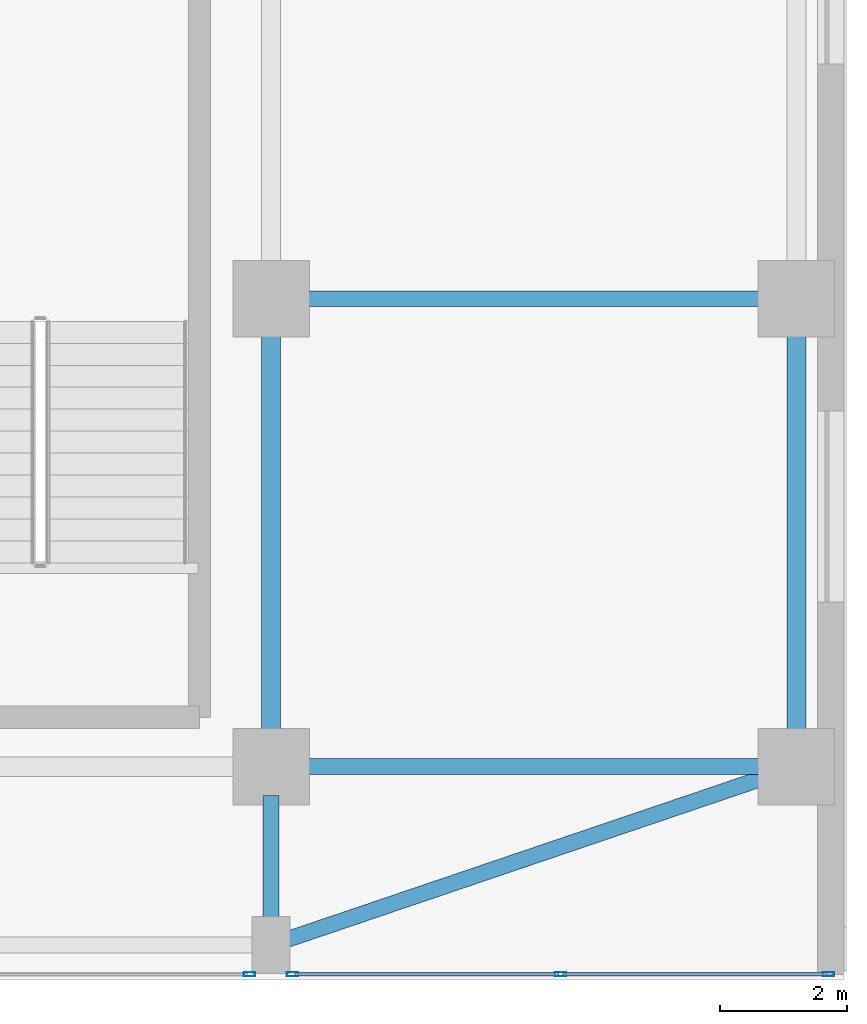
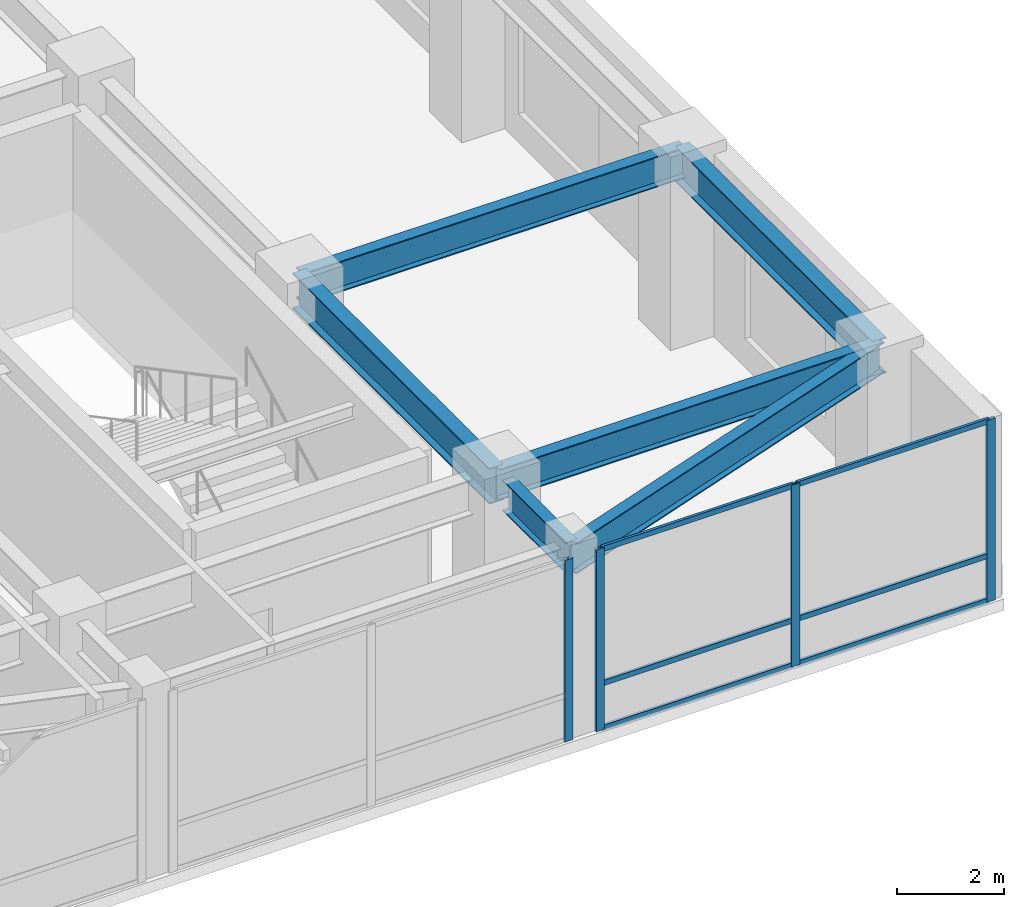
# One storey, part 16 of 27: 10 members, 6 beams, 2 elements without a shape of their own.
"""IFC4 building model written with IfcOpenShell, lengths in metres."""

from ifc_helpers import new_model, si_unit, direction, frame, origin, origin_2d, place, context, subcontext, project, spatial, hollow_rectangle, i_section, extrude, source, transform, mapped, material, layer, layer_set, material_profile, profile_set, type_object, type_shapes, element, aggregate, save


model = new_model("IFC4")

# Units and contexts
model_context = context("Model", 3, precision=1e-05, world=origin(), true_north=direction((0.0, 1.0)))
body_context = subcontext(model_context, "Body", "Model", "MODEL_VIEW")
ifc_project = project(units=[si_unit("LENGTHUNIT", "METRE"), si_unit("AREAUNIT", "SQUARE_METRE"), si_unit("VOLUMEUNIT", "CUBIC_METRE"), si_unit("PLANEANGLEUNIT", "RADIAN"), si_unit("MASSUNIT", "GRAM", prefix="KILO")], contexts=[model_context])

# Site, building, storey
site_placement = place(None, origin())
site = spatial("IfcSite", under=ifc_project, at=site_placement, CompositionType="ELEMENT")
building_placement = place(site_placement, origin())
building = spatial("IfcBuilding", under=site, at=building_placement, Name="Tolvann Quenvar Hotel", CompositionType="ELEMENT")
storey_placement = place(building_placement, frame((0.0, 0.0, 22.39990234375)))
storey = spatial("IfcBuildingStorey", under=building, at=storey_placement, Name="L04", CompositionType="ELEMENT", Elevation=22.39990234375)

# Beams
ifc_material_1 = material(Name="Steel Grade 350", Category="steel")
ifc_material_profile_1 = material_profile(ifc_material_1, i_section(OverallWidth=0.300048828125, OverallDepth=0.81591796875, WebThickness=0.010009765625, FlangeThickness=0.028076171875, at=origin_2d()), Name="800WB192")
ifc_profile_set_1 = profile_set([ifc_material_profile_1], Name="Steel Grade 350")
beam_type_1 = type_object("IfcBeamType", Name="BM_GIRD_800WB192", PredefinedType="BEAM", material=ifc_profile_set_1)
shared_shape_1 = source(origin(), body_context, "Body", "SweptSolid", [
    extrude(i_section(OverallWidth=0.300048828125, OverallDepth=0.81591796875, WebThickness=0.010009765625, FlangeThickness=0.028076171875, at=origin_2d()), origin(), (0.0, 0.0, 1.0), 7.349853515625),
])
type_shapes(beam_type_1, [shared_shape_1])
for number, where, z_axis, x_axis, name in (
    (1, (56.39990234375, 0.85009765625, 3.732177734375), (0.0, 1.0, 0.0), (-1.0, 0.0, 0.0), "BM-L04-NS-J-0"),
    (2, (64.64990234375, 0.85009765625, 3.732177734375), (0.0, 1.0, 0.0), (-1.0, 0.0, 0.0), "BM-L04-NS-K-0"),
):
    element("IfcBeam", number, at=place(storey_placement, frame(where, z_axis=z_axis, x_axis=x_axis)), inside=storey, type_object=beam_type_1, Name=name, PredefinedType="BEAM", context=body_context, shape_type="MappedRepresentation", body=[
        mapped(shared_shape_1, transform((0.0, 0.0, 0.0), x_axis=(1.0, 0.0, 0.0), y_axis=(0.0, 1.0, 0.0), z_axis=(0.0, 0.0, 1.0), scale=1.0)),
    ])
ifc_material_profile_2 = material_profile(ifc_material_1, i_section(OverallWidth=0.25, OverallDepth=0.699951171875, WebThickness=0.010009765625, FlangeThickness=0.02392578125, at=origin_2d()), Name="700WB150")
ifc_profile_set_2 = profile_set([ifc_material_profile_2], Name="Steel Grade 350")
beam_type_2 = type_object("IfcBeamType", Name="BM_GIRD_700WB150", PredefinedType="BEAM", material=ifc_profile_set_2)
shared_shape_2 = source(origin(), body_context, "Body", "SweptSolid", [
    extrude(i_section(OverallWidth=0.25, OverallDepth=0.699951171875, WebThickness=0.010009765625, FlangeThickness=0.02392578125, at=origin_2d()), origin(), (0.0, 0.0, 1.0), 8.25),
])
for number, where, z_axis, x_axis, name in (
    (3, (56.39990234375, 0.85009765625, 3.7900390625), (1.0, 0.0, 0.0), (0.0, 1.0, 0.0), "BM-L04-GE3-1"),
    (4, (56.39990234375, 8.199951171875, 3.7900390625), (1.0, 0.0, 0.0), (0.0, 1.0, 0.0), "BM-L04-GE3-2"),
):
    element("IfcBeam", number, at=place(storey_placement, frame(where, z_axis=z_axis, x_axis=x_axis)), inside=storey, type_object=beam_type_2, Name=name, PredefinedType="BEAM", context=body_context, shape_type="MappedRepresentation", body=[
        mapped(shared_shape_2, transform((0.0, 0.0, 0.0), x_axis=(1.0, 0.0, 0.0), y_axis=(0.0, 1.0, 0.0), z_axis=(0.0, 0.0, 1.0), scale=1.0)),
    ])
shared_shape_3 = source(origin(), body_context, "Body", "SweptSolid", [
    extrude(i_section(OverallWidth=0.25, OverallDepth=0.699951171875, WebThickness=0.010009765625, FlangeThickness=0.02392578125, at=origin_2d()), origin(), (0.0, 0.0, 1.0), 2.349853515625),
])
beam_1_placement = place(storey_placement, frame((56.39990234375, -1.949951171875, 3.7900390625), z_axis=(0.0, 1.0, 0.0), x_axis=(-1.0, 0.0, 0.0)))
element("IfcBeam", 5, at=beam_1_placement, inside=storey, type_object=beam_type_2, Name="BM-L04-NSS-J", PredefinedType="BEAM", context=body_context, shape_type="MappedRepresentation", body=[
    mapped(shared_shape_3, transform((0.0, 0.0, 0.0), x_axis=(1.0, 0.0, 0.0), y_axis=(0.0, 1.0, 0.0), z_axis=(0.0, 0.0, 1.0), scale=1.0)),
])
shared_shape_4 = source(origin(), body_context, "Body", "SweptSolid", [
    extrude(i_section(OverallWidth=0.25, OverallDepth=0.699951171875, WebThickness=0.010009765625, FlangeThickness=0.02392578125, at=origin_2d()), origin(), (0.0, 0.0, 1.0), 8.712158203125),
])
type_shapes(beam_type_2, [shared_shape_2, shared_shape_3, shared_shape_4])
beam_2_placement = place(storey_placement, frame((56.39990234375, -1.949951171875, 3.7900390625), z_axis=(0.946945808453, 0.32139327288, 0.0), x_axis=(-0.32139327288, 0.946945808453, 0.0)))
element("IfcBeam", 6, at=beam_2_placement, inside=storey, type_object=beam_type_2, Name="BM-L04-EWS-E2", PredefinedType="BEAM", context=body_context, shape_type="MappedRepresentation", body=[
    mapped(shared_shape_4, transform((0.0, 0.0, 0.0), x_axis=(1.0, 0.0, 0.0), y_axis=(0.0, 1.0, 0.0), z_axis=(0.0, 0.0, 1.0), scale=1.0)),
])

# Curtain wall, members
ifc_material_2 = material(Name="Thermally broken anodised architectural aluminium 6063-T6 and laminated low-E glass", Category="aluminium")
ifc_layer = layer(ifc_material_2, 0.179931640625)
ifc_layer_set = layer_set([ifc_layer], Name="Thermally broken anodised architectural aluminium 6063-T6 and laminated low-E glass")
curtain_wall_type = type_object("IfcCurtainWallType", Name="CW_SYS_BALL_02", PredefinedType="USERDEFINED", material=ifc_layer_set)
curtain_wall_1_placement = place(storey_placement, origin())
curtain_wall_1 = element("IfcCurtainWall", 7, at=curtain_wall_1_placement, inside=storey, type_object=curtain_wall_type, Name="Curtain Wall CW-BALL-02 (CWR-L04-E04-S5)", ObjectType="UNITISED CURTAIN WALL", PredefinedType="USERDEFINED")
ifc_material_3 = material(Name="Anodised architectural aluminium 6063-T6 framing", Category="aluminium")
ifc_material_profile_3 = material_profile(ifc_material_3, hollow_rectangle(XDim=0.06005859375, YDim=0.1201171875, WallThickness=0.00341796875, at=origin_2d()), Name="120x60x3.5RHS")
ifc_profile_set_3 = profile_set([ifc_material_profile_3], Name="Anodised architectural aluminium 6063-T6 framing")
member_type_1 = type_object("IfcMemberType", Name="CW_TRAN_120x60", PredefinedType="USERDEFINED", material=ifc_profile_set_3)
shared_shape_5 = source(origin(), body_context, "Body", "SweptSolid", [
    extrude(hollow_rectangle(XDim=0.06005859375, YDim=0.1201171875, WallThickness=0.00341796875, at=origin_2d()), origin(), (0.0, 0.0, 1.0), 4.13818359375),
])
type_shapes(member_type_1, [shared_shape_5])
member_1_placement = place(storey_placement, frame((56.77392578125, -2.409912109375, 0.030029296875), z_axis=(1.0, 0.0, 0.0), x_axis=(0.0, 1.0, 0.0)))
member_1 = element("IfcMember", 8, at=member_1_placement, type_object=member_type_1, Name="CW-BALL-02 transom 1.1", ObjectType="TRANSOM", PredefinedType="USERDEFINED", context=body_context, shape_type="MappedRepresentation", body=[
    mapped(shared_shape_5, transform((0.0, 0.0, 0.0), x_axis=(1.0, 0.0, 0.0), y_axis=(0.0, 1.0, 0.0), z_axis=(0.0, 0.0, 1.0), scale=1.0)),
])
member_2_placement = place(storey_placement, frame((56.77392578125, -2.409912109375, 1.050048828125), z_axis=(1.0, 0.0, 0.0), x_axis=(0.0, 1.0, 0.0)))
member_2 = element("IfcMember", 9, at=member_2_placement, type_object=member_type_1, Name="CW-BALL-02 transom 1.2", ObjectType="TRANSOM", PredefinedType="USERDEFINED", context=body_context, shape_type="MappedRepresentation", body=[
    mapped(shared_shape_5, transform((0.0, 0.0, 0.0), x_axis=(1.0, 0.0, 0.0), y_axis=(0.0, 1.0, 0.0), z_axis=(0.0, 0.0, 1.0), scale=1.0)),
])
member_3_placement = place(storey_placement, frame((56.77392578125, -2.409912109375, 4.110107421875), z_axis=(1.0, 0.0, 0.0), x_axis=(0.0, 1.0, 0.0)))
member_3 = element("IfcMember", 10, at=member_3_placement, type_object=member_type_1, Name="CW-BALL-02 transom 1.3", ObjectType="TRANSOM", PredefinedType="USERDEFINED", context=body_context, shape_type="MappedRepresentation", body=[
    mapped(shared_shape_5, transform((0.0, 0.0, 0.0), x_axis=(1.0, 0.0, 0.0), y_axis=(0.0, 1.0, 0.0), z_axis=(0.0, 0.0, 1.0), scale=1.0)),
])
member_4_placement = place(storey_placement, frame((60.98193359375, -2.409912109375, 0.030029296875), z_axis=(1.0, 0.0, 0.0), x_axis=(0.0, 1.0, 0.0)))
member_4 = element("IfcMember", 11, at=member_4_placement, type_object=member_type_1, Name="CW-BALL-02 transom 2.1", ObjectType="TRANSOM", PredefinedType="USERDEFINED", context=body_context, shape_type="MappedRepresentation", body=[
    mapped(shared_shape_5, transform((0.0, 0.0, 0.0), x_axis=(1.0, 0.0, 0.0), y_axis=(0.0, 1.0, 0.0), z_axis=(0.0, 0.0, 1.0), scale=1.0)),
])
member_5_placement = place(storey_placement, frame((60.98193359375, -2.409912109375, 1.050048828125), z_axis=(1.0, 0.0, 0.0), x_axis=(0.0, 1.0, 0.0)))
member_5 = element("IfcMember", 12, at=member_5_placement, type_object=member_type_1, Name="CW-BALL-02 transom 2.2", ObjectType="TRANSOM", PredefinedType="USERDEFINED", context=body_context, shape_type="MappedRepresentation", body=[
    mapped(shared_shape_5, transform((0.0, 0.0, 0.0), x_axis=(1.0, 0.0, 0.0), y_axis=(0.0, 1.0, 0.0), z_axis=(0.0, 0.0, 1.0), scale=1.0)),
])
member_6_placement = place(storey_placement, frame((60.98193359375, -2.409912109375, 4.110107421875), z_axis=(1.0, 0.0, 0.0), x_axis=(0.0, 1.0, 0.0)))
member_6 = element("IfcMember", 13, at=member_6_placement, type_object=member_type_1, Name="CW-BALL-02 transom 2.3", ObjectType="TRANSOM", PredefinedType="USERDEFINED", context=body_context, shape_type="MappedRepresentation", body=[
    mapped(shared_shape_5, transform((0.0, 0.0, 0.0), x_axis=(1.0, 0.0, 0.0), y_axis=(0.0, 1.0, 0.0), z_axis=(0.0, 0.0, 1.0), scale=1.0)),
])

# Curtain wall, member
curtain_wall_2_placement = place(storey_placement, origin())
curtain_wall_2 = element("IfcCurtainWall", 14, at=curtain_wall_2_placement, inside=storey, type_object=curtain_wall_type, Name="Curtain Wall CW-BALL-02 (CWR-L04-E04-S4)", ObjectType="UNITISED CURTAIN WALL", PredefinedType="USERDEFINED")
ifc_material_profile_4 = material_profile(ifc_material_3, hollow_rectangle(XDim=0.070068359375, YDim=0.179931640625, WallThickness=0.00390625, at=origin_2d()), Name="180x70x4RHS")
ifc_profile_set_4 = profile_set([ifc_material_profile_4], Name="Anodised architectural aluminium 6063-T6 framing")
member_type_2 = type_object("IfcMemberType", Name="CW_MULL_180x70", PredefinedType="MULLION", material=ifc_profile_set_4)
shared_shape_6 = source(origin(), body_context, "Body", "SweptSolid", [
    extrude(hollow_rectangle(XDim=0.070068359375, YDim=0.179931640625, WallThickness=0.00390625, at=origin_2d()), origin(), (0.0, 0.0, 1.0), 4.14013671875),
])
type_shapes(member_type_2, [shared_shape_6])
member_7_placement = place(storey_placement, frame((56.06103515625, -2.409912109375, 0.0), z_axis=(0.0, 0.0, 1.0), x_axis=(0.0, 1.0, 0.0)))
member_7 = element("IfcMember", 15, at=member_7_placement, type_object=member_type_2, Name="CW-BALL-02 mullion 3", PredefinedType="MULLION", context=body_context, shape_type="MappedRepresentation", body=[
    mapped(shared_shape_6, transform((0.0, 0.0, 0.0), x_axis=(1.0, 0.0, 0.0), y_axis=(0.0, 1.0, 0.0), z_axis=(0.0, 0.0, 1.0), scale=1.0)),
])
aggregate(curtain_wall_2, [member_7])

# Member
member_8_placement = place(storey_placement, frame((56.739013671875, -2.409912109375, 0.0), z_axis=(0.0, 0.0, 1.0), x_axis=(0.0, 1.0, 0.0)))
member_8 = element("IfcMember", 16, at=member_8_placement, type_object=member_type_2, Name="CW-BALL-02 mullion 1", PredefinedType="MULLION", context=body_context, shape_type="MappedRepresentation", body=[
    mapped(shared_shape_6, transform((0.0, 0.0, 0.0), x_axis=(1.0, 0.0, 0.0), y_axis=(0.0, 1.0, 0.0), z_axis=(0.0, 0.0, 1.0), scale=1.0)),
])

member_9_placement = place(storey_placement, frame((60.947021484375, -2.409912109375, 0.0), z_axis=(0.0, 0.0, 1.0), x_axis=(0.0, 1.0, 0.0)))
member_9 = element("IfcMember", 17, at=member_9_placement, type_object=member_type_2, Name="CW-BALL-02 mullion 2", PredefinedType="MULLION", context=body_context, shape_type="MappedRepresentation", body=[
    mapped(shared_shape_6, transform((0.0, 0.0, 0.0), x_axis=(1.0, 0.0, 0.0), y_axis=(0.0, 1.0, 0.0), z_axis=(0.0, 0.0, 1.0), scale=1.0)),
])

member_10_placement = place(storey_placement, frame((65.155029296875, -2.409912109375, 0.0), z_axis=(0.0, 0.0, 1.0), x_axis=(0.0, 1.0, 0.0)))
member_10 = element("IfcMember", 18, at=member_10_placement, type_object=member_type_2, Name="CW-BALL-02 mullion 3", PredefinedType="MULLION", context=body_context, shape_type="MappedRepresentation", body=[
    mapped(shared_shape_6, transform((0.0, 0.0, 0.0), x_axis=(1.0, 0.0, 0.0), y_axis=(0.0, 1.0, 0.0), z_axis=(0.0, 0.0, 1.0), scale=1.0)),
])

aggregate(curtain_wall_1, [member_8, member_9, member_10, member_1, member_2, member_3, member_4, member_5, member_6])

save(model, "model.ifc")
